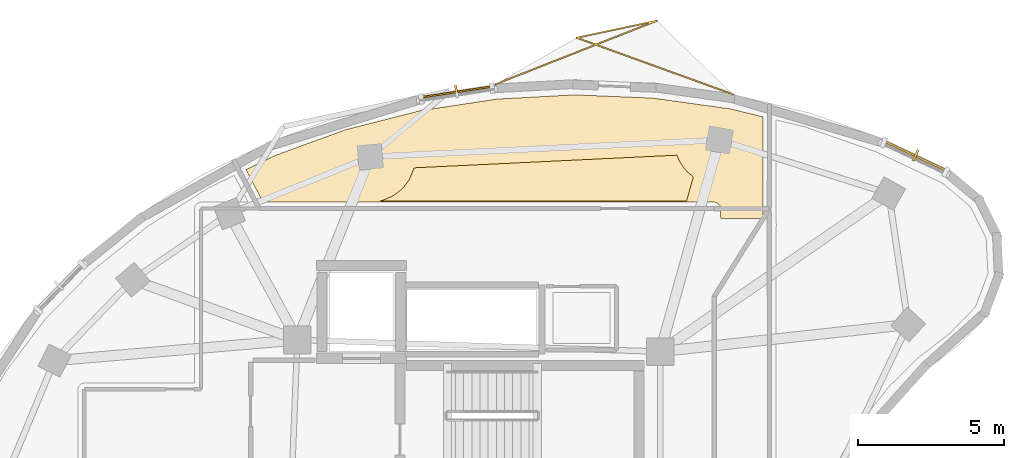
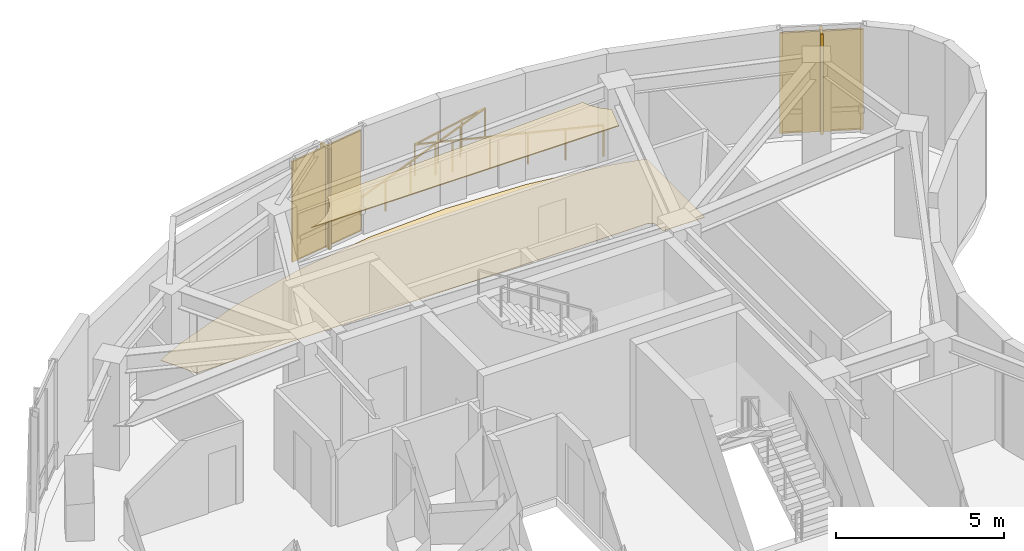
# One storey, part 10 of 10: 4 shading devices, 2 coverings, 1 railing.
"""IFC4 building model written with IfcOpenShell, lengths in metres."""

from ifc_helpers import new_model, si_unit, direction, frame, origin, origin_2d, place, context, subcontext, project, spatial, polyline, rectangle, outline, extrude, material, layer, layer_set, type_object, element, save


model = new_model("IFC4")

# Units and contexts
model_context = context("Model", 3, precision=1e-05, world=origin(), true_north=direction((0.0, 1.0)))
body_context = subcontext(model_context, "Body", "Model", "MODEL_VIEW")
ifc_project = project(units=[si_unit("LENGTHUNIT", "METRE"), si_unit("AREAUNIT", "SQUARE_METRE"), si_unit("VOLUMEUNIT", "CUBIC_METRE"), si_unit("PLANEANGLEUNIT", "RADIAN"), si_unit("MASSUNIT", "GRAM", prefix="KILO")], contexts=[model_context])

# Site, building, storey
site_placement = place(None, origin())
site = spatial("IfcSite", under=ifc_project, at=site_placement, CompositionType="ELEMENT")
building_placement = place(site_placement, origin())
building = spatial("IfcBuilding", under=site, at=building_placement, Name="Korentha Bioscience Tower", CompositionType="ELEMENT")
storey_placement = place(building_placement, frame((0.0, 0.0, 306.0)))
storey = spatial("IfcBuildingStorey", under=building, at=storey_placement, Name="L70", CompositionType="ELEMENT", Elevation=306.0)

# Railing
ifc_material_1 = material(Name="Laminated Tempered Safety Glass", Category="glass")
railing_type = type_object("IfcRailingType", Name="Laminated Glass Balcony Guardrail 1150", PredefinedType="BALUSTRADE", material=ifc_material_1)
railing_placement = place(storey_placement, frame((40.04150390625, 44.68212890625, 0.0)))
element("IfcRailing", 1, at=railing_placement, inside=storey, type_object=railing_type, Name="L70 Balcony Guardrail 01", PredefinedType="BALUSTRADE", context=body_context, shape_type="SweptSolid", body=[
    extrude(rectangle(XDim=0.048095703125, YDim=0.048095703125, at=origin_2d()), frame((0.0, 0.0, 1.1259765625), z_axis=(-0.940399839125, 0.340070790532, 0.0), x_axis=(-0.340070790532, -0.940399839125, 0.0)), (0.0, 0.0, 1.0), 5.69873046875),
    extrude(rectangle(XDim=0.048095703125, YDim=0.048095703125, at=origin_2d()), frame((-5.359130859375, 1.93798828125, 1.1259765625), z_axis=(0.978214942791, 0.207594618669, 0.0), x_axis=(-0.207594618669, 0.978214942791, 0.0)), (0.0, 0.0, 1.0), 2.819091796875),
    extrude(rectangle(XDim=0.048095703125, YDim=0.048095703125, at=origin_2d()), frame((-2.6015625, 2.523193359375, 1.1259765625), z_axis=(-0.930533678074, -0.366206327049, 0.0), x_axis=(0.366206327049, -0.930533678074, 0.0)), (0.0, 0.0, 1.0), 5.9580078125),
    extrude(rectangle(XDim=0.0419921875, YDim=0.0419921875, at=origin_2d()), origin(), (0.0, 0.0, 1.0), 1.101806640625),
    extrude(rectangle(XDim=0.0419921875, YDim=0.0419921875, at=origin_2d()), frame((-1.07177734375, 0.3876953125, 0.0)), (0.0, 0.0, 1.0), 1.101806640625),
    extrude(rectangle(XDim=0.0419921875, YDim=0.0419921875, at=origin_2d()), frame((-2.1435546875, 0.775146484375, 0.0)), (0.0, 0.0, 1.0), 1.101806640625),
    extrude(rectangle(XDim=0.0419921875, YDim=0.0419921875, at=origin_2d()), frame((-3.215576171875, 1.162841796875, 0.0)), (0.0, 0.0, 1.0), 1.101806640625),
    extrude(rectangle(XDim=0.0419921875, YDim=0.0419921875, at=origin_2d()), frame((-4.287353515625, 1.55029296875, 0.0)), (0.0, 0.0, 1.0), 1.101806640625),
    extrude(rectangle(XDim=0.0419921875, YDim=0.0419921875, at=origin_2d()), frame((-5.359130859375, 1.93798828125, 0.0)), (0.0, 0.0, 1.0), 1.101806640625),
    extrude(rectangle(XDim=0.0419921875, YDim=0.0419921875, at=origin_2d()), frame((-4.43994140625, 2.133056640625, 0.0)), (0.0, 0.0, 1.0), 1.101806640625),
    extrude(rectangle(XDim=0.0419921875, YDim=0.0419921875, at=origin_2d()), frame((-3.520751953125, 2.328125, 0.0)), (0.0, 0.0, 1.0), 1.101806640625),
    extrude(rectangle(XDim=0.0419921875, YDim=0.0419921875, at=origin_2d()), frame((-2.6015625, 2.523193359375, 0.0)), (0.0, 0.0, 1.0), 1.101806640625),
    extrude(rectangle(XDim=0.0419921875, YDim=0.0419921875, at=origin_2d()), frame((-3.71044921875, 2.0869140625, 0.0)), (0.0, 0.0, 1.0), 1.101806640625),
    extrude(rectangle(XDim=0.0419921875, YDim=0.0419921875, at=origin_2d()), frame((-4.8193359375, 1.650390625, 0.0)), (0.0, 0.0, 1.0), 1.101806640625),
    extrude(rectangle(XDim=0.0419921875, YDim=0.0419921875, at=origin_2d()), frame((-5.927978515625, 1.214111328125, 0.0)), (0.0, 0.0, 1.0), 1.101806640625),
    extrude(rectangle(XDim=0.0419921875, YDim=0.0419921875, at=origin_2d()), frame((-7.036865234375, 0.777587890625, 0.0)), (0.0, 0.0, 1.0), 1.101806640625),
    extrude(rectangle(XDim=0.0419921875, YDim=0.0419921875, at=origin_2d()), frame((-8.145751953125, 0.34130859375, 0.0)), (0.0, 0.0, 1.0), 1.101806640625),
])

# Covering
ifc_material_2 = material(Name="Antimicrobial Mineral Fibre Board", Category="gypsum")
ifc_layer_1 = layer(ifc_material_2, 0.034912109375, Name="Antimicrobial Mineral Fibre Board")
ifc_layer_set_1 = layer_set([ifc_layer_1], Name="Antimicrobial Mineral Fibre Board (CL-MF35)")
covering_type_1 = type_object("IfcCoveringType", Name="Mineral-Fibre Cleanroom Suspended Ceiling 35", PredefinedType="CEILING", material=ifc_layer_set_1)
covering_1_placement = place(storey_placement, frame((0.0, 0.0, 3.864990234375)))
element("IfcCovering", 2, at=covering_1_placement, inside=storey, type_object=covering_type_1, Name="L70 Incubator and Bioreactor Suite 09 Acoustic Ceiling", PredefinedType="CEILING", context=body_context, shape_type="SweptSolid", body=[
    extrude(outline(polyline([(38.12353515625, 42.59033203125), (38.214599609375, 42.3798828125), (38.383544921875, 42.127197265625), (38.485595703125, 42.0146484375), (38.68798828125, 41.84619140625), (38.453857421875, 41.010009765625), (27.881591796875, 41.010009765625), (28.052001953125, 41.05029296875), (28.332763671875, 41.16650390625), (28.463134765625, 41.244873046875), (28.697998046875, 41.4375), (28.890869140625, 41.672607421875), (28.968994140625, 41.802978515625), (29.103515625, 42.156005859375), (38.12353515625, 42.59033203125)])), origin(), (0.0, 0.0, 1.0), 0.034912109375),
])

# Shading devices
ifc_material_3 = material(Name="Perforated Stone-Ceramic Composite", Category="masonry")
ifc_layer_2 = layer(ifc_material_3, 0.06494140625, Name="Perforated Stone-Ceramic Composite")
ifc_layer_set_2 = layer_set([ifc_layer_2], Name="Perforated Stone-Ceramic Composite (CS-01)")
shading_device_type_1 = type_object("IfcShadingDeviceType", Name="Perforated Stone-Ceramic Solar Screen Panel 65", PredefinedType="USERDEFINED", material=ifc_layer_set_2)
shading_device_1_placement = place(storey_placement, frame((46.310302734375, 42.56591796875, 0.0), z_axis=(0.0, 0.0, 1.0), x_axis=(-0.904397382054, 0.426691194347, 0.0)))
element("IfcShadingDevice", 3, at=shading_device_1_placement, inside=storey, type_object=shading_device_type_1, Name="CW-L70-01 Perforated Stone-Ceramic Solar Screen", ObjectType="SCREEN", PredefinedType="USERDEFINED", context=body_context, shape_type="SweptSolid", body=[
    extrude(rectangle(XDim=2.501708984375, YDim=0.06494140625, at=origin_2d()), origin(), (0.0, 0.0, 1.0), 3.64990234375),
])
shading_device_2_placement = place(storey_placement, frame((30.56298828125, 44.760009765625, 0.0), z_axis=(0.0, 0.0, 1.0), x_axis=(-0.988621035391, -0.150427551942, 0.0)))
element("IfcShadingDevice", 4, at=shading_device_2_placement, inside=storey, type_object=shading_device_type_1, Name="CW-L70-07 Perforated Stone-Ceramic Solar Screen", ObjectType="SCREEN", PredefinedType="USERDEFINED", context=body_context, shape_type="SweptSolid", body=[
    extrude(rectangle(XDim=2.61474609375, YDim=0.06494140625, at=origin_2d()), origin(), (0.0, 0.0, 1.0), 3.64990234375),
])

# Covering
ifc_material_4 = material(Name="Chemical-Resistant Epoxy Resin", Category="polymer")
ifc_layer_3 = layer(ifc_material_4, 0.011962890625, Name="Chemical-Resistant Epoxy Resin")
ifc_layer_set_3 = layer_set([ifc_layer_3], Name="Chemical-Resistant Epoxy Resin (FL-EPX)")
covering_type_2 = type_object("IfcCoveringType", Name="Seamless Epoxy Laboratory Flooring 12", PredefinedType="FLOORING", material=ifc_layer_set_3)
covering_2_placement = place(storey_placement, origin())
element("IfcCovering", 5, at=covering_2_placement, inside=storey, type_object=covering_type_2, Name="L70 Incubator and Bioreactor Suite 09 Floor Finish", PredefinedType="FLOORING", context=body_context, shape_type="SweptSolid", body=[
    extrude(outline(polyline([(24.323486328125, 42.574951171875), (26.75927734375, 43.464599609375), (29.313232421875, 44.114501953125), (31.947998046875, 44.515380859375), (34.62451171875, 44.660888671875), (37.303955078125, 44.548583984375), (39.9462890625, 44.180419921875), (41.072021484375, 43.9091796875), (41.072021484375, 40.422119140625), (39.6298828125, 40.422119140625), (39.616455078125, 40.827880859375), (39.53662109375, 40.93505859375), (39.410888671875, 40.979736328125), (23.922119140625, 40.97998046875), (23.337646484375, 42.093017578125), (24.323486328125, 42.574951171875)])), origin(), (0.0, 0.0, 1.0), 0.011962890625),
])

# Shading devices
ifc_material_5 = material(Name="Honed Travertine Limestone", Category="masonry")
ifc_layer_4 = layer(ifc_material_5, 0.080078125, Name="Honed Travertine Limestone")
ifc_layer_set_4 = layer_set([ifc_layer_4], Name="Honed Travertine Limestone (CS-02)")
shading_device_type_2 = type_object("IfcShadingDeviceType", Name="Vertical Honed Limestone Sunshade Fin 80x420", PredefinedType="USERDEFINED", material=ifc_layer_set_4)
for number, where, z_axis, x_axis, name in (
    (6, (46.31884765625, 42.583984375, 0.0), (0.0, 0.0, 1.0), (-0.904397382054, 0.426691194347, 0.0), "CW-L70-01 Limestone Sunshade Fin"),
    (7, (30.559814453125, 44.779541015625, 0.0), (0.0, 0.0, 1.0), (-0.988621035391, -0.150427551942, 0.0), "CW-L70-07 Limestone Sunshade Fin"),
):
    element("IfcShadingDevice", number, at=place(storey_placement, frame(where, z_axis=z_axis, x_axis=x_axis)), inside=storey, type_object=shading_device_type_2, Name=name, ObjectType="SCREEN", PredefinedType="USERDEFINED", context=body_context, shape_type="SweptSolid", body=[
        extrude(rectangle(XDim=0.080078125, YDim=0.419921875, at=origin_2d()), origin(), (0.0, 0.0, 1.0), 3.64990234375),
    ])

save(model, "model.ifc")
